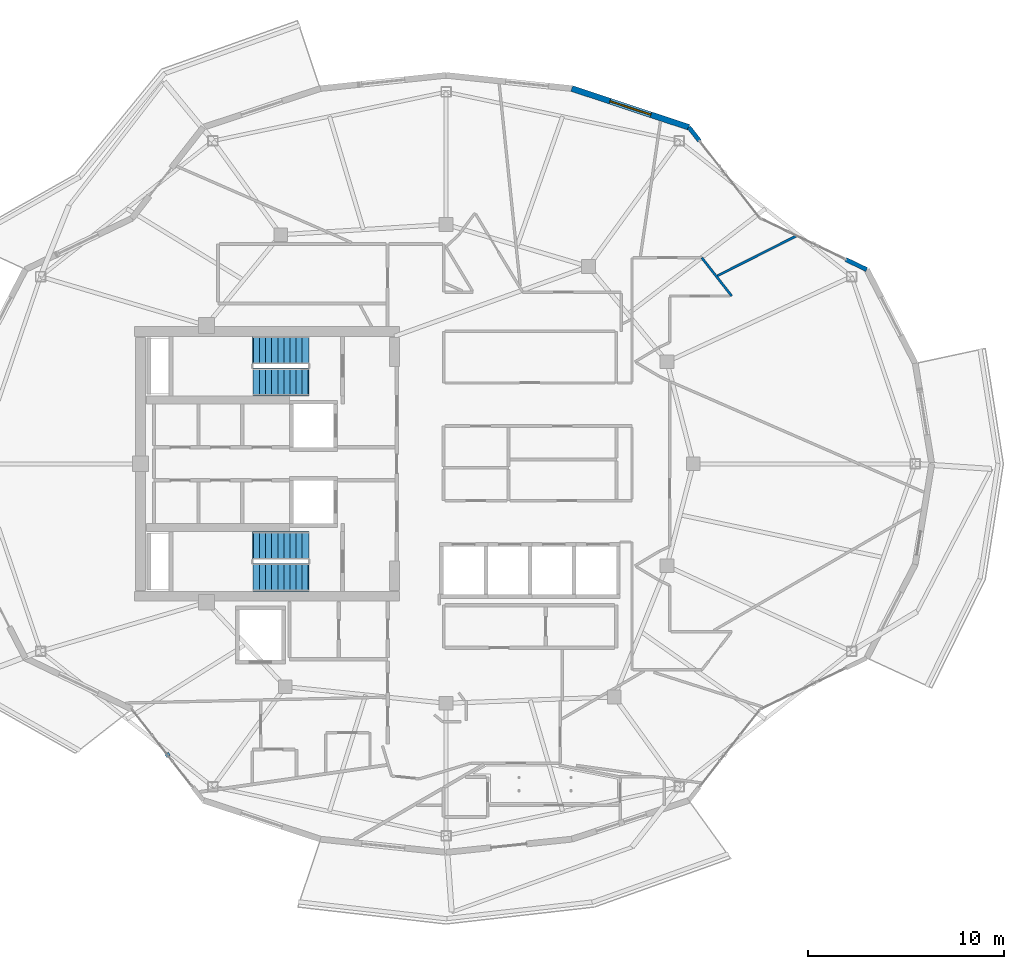
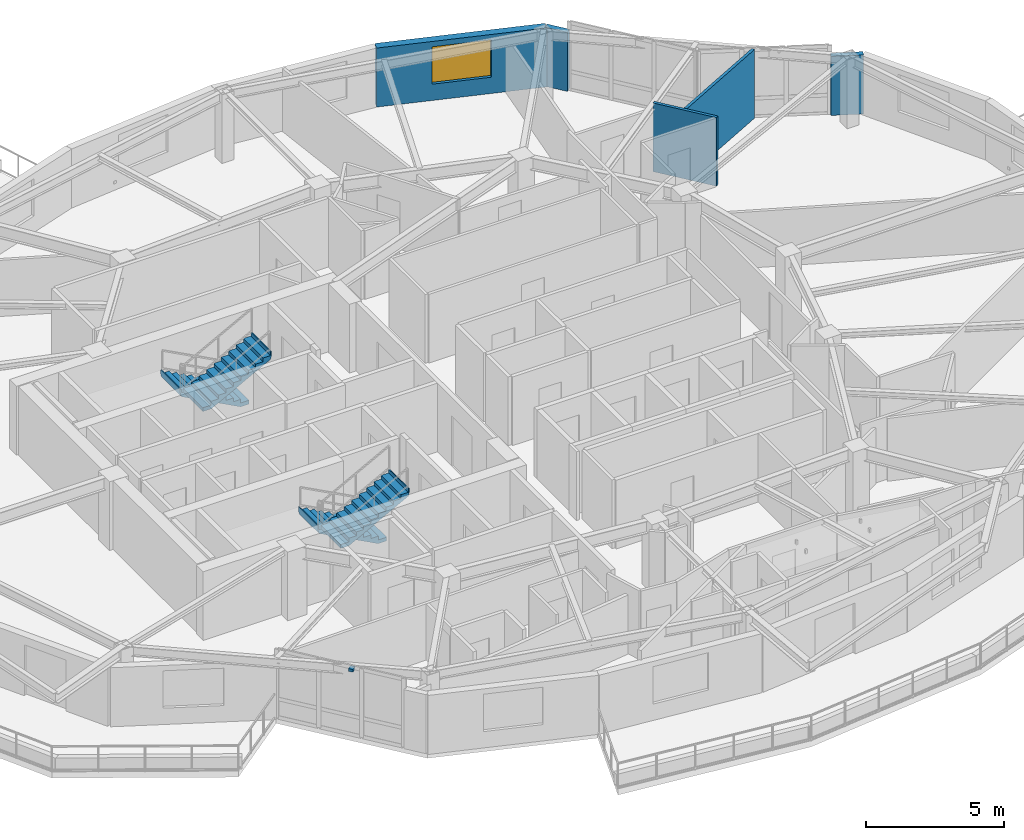
# One storey, part 13 of 21: 5 walls, 4 stair flights, 1 discrete accessory, 1 window, 1 opening, 2 elements without a shape of their own.
"""IFC4 building model written with IfcOpenShell, lengths in metres."""

from ifc_helpers import new_model, si_unit, direction, frame, frame_2d, origin, origin_2d, place, context, subcontext, project, spatial, polyline, rectangle, outline, extrude, material, layer, layer_set, type_object, element, fill, aggregate, save


model = new_model("IFC4")

# Units and contexts
model_context = context("Model", 3, precision=1e-05, world=origin(), true_north=direction((0.0, 1.0)))
body_context = subcontext(model_context, "Body", "Model", "MODEL_VIEW")
ifc_project = project(units=[si_unit("LENGTHUNIT", "METRE"), si_unit("AREAUNIT", "SQUARE_METRE"), si_unit("VOLUMEUNIT", "CUBIC_METRE"), si_unit("PLANEANGLEUNIT", "RADIAN"), si_unit("MASSUNIT", "GRAM", prefix="KILO")], contexts=[model_context])

# Site, building, storey
site_placement = place(None, origin())
site = spatial("IfcSite", under=ifc_project, at=site_placement, CompositionType="ELEMENT")
building_placement = place(site_placement, origin())
building = spatial("IfcBuilding", under=site, at=building_placement, Name="Kolvaren Gate Tower and Convention Centre", CompositionType="ELEMENT")
storey_placement = place(building_placement, frame((0.0, 0.0, 226.10009765625)))
storey = spatial("IfcBuildingStorey", under=building, at=storey_placement, Name="L60", CompositionType="ELEMENT", Elevation=226.10009765625)

# Walls
ifc_material_1 = material(Name="Fire-Rated Acoustic Gypsum Stud Partition", Category="gypsum")
ifc_layer_1 = layer(ifc_material_1, 0.1201171875)
ifc_layer_set_1 = layer_set([ifc_layer_1], Name="Fire-Rated Acoustic Gypsum Stud Partition")
wall_type_1 = type_object("IfcWallType", Name="ARCH-WL-PART-120", PredefinedType="PARTITIONING", material=ifc_layer_set_1)
wall_1_placement = place(storey_placement, frame((43.156982421875, 37.5, 0.0), z_axis=(0.0, 0.0, 1.0), x_axis=(0.616571357052, -0.78729902938, 0.0)))
element("IfcWall", 1, at=wall_1_placement, inside=storey, type_object=wall_type_1, Name="Interior Partition WL-L60-INT-048", PredefinedType="PARTITIONING", context=body_context, shape_type="SweptSolid", body=[
    extrude(rectangle(XDim=2.476806640625, YDim=0.1201171875, at=frame_2d((1.23828125, 0.0))), origin(), (0.0, 0.0, 1.0), 3.02978515625),
])
wall_2_placement = place(storey_placement, frame((43.9541015625, 36.58251953125, 0.0), z_axis=(0.0, 0.0, 1.0), x_axis=(0.892601830049, 0.450845841716, 0.0)))
element("IfcWall", 2, at=wall_2_placement, inside=storey, type_object=wall_type_1, Name="Interior Partition WL-L60-INT-104", PredefinedType="PARTITIONING", context=body_context, shape_type="SweptSolid", body=[
    extrude(rectangle(XDim=4.4853515625, YDim=0.1201171875, at=frame_2d((2.24267578125, 0.0))), origin(), (0.0, 0.0, 1.0), 3.02978515625),
])
ifc_material_2 = material(Name="Bogota Sabana Bush-Hammered Sandstone Cladding", Category="masonry")
ifc_layer_2 = layer(ifc_material_2, 0.219970703125)
ifc_layer_set_2 = layer_set([ifc_layer_2], Name="Bogota Sabana Bush-Hammered Sandstone Cladding")
wall_type_2 = type_object("IfcWallType", Name="ARCH-WL-PIER-220", PredefinedType="SOLIDWALL", material=ifc_layer_set_2)
wall_3_placement = place(storey_placement, frame((50.494140625, 37.41162109375, 0.0), z_axis=(0.0, 0.0, 1.0), x_axis=(0.901342408365, -0.433107218692, 0.0)))
element("IfcWall", 3, at=wall_3_placement, inside=storey, type_object=wall_type_2, Name="Tower L60 Unitised Curtain Wall CW-RES-UNIT Bay 02 Right Column Pier Wrap", PredefinedType="SOLIDWALL", context=body_context, shape_type="SweptSolid", body=[
    extrude(rectangle(XDim=1.181396484375, YDim=0.219970703125, at=frame_2d((0.5908203125, 0.0))), origin(), (0.0, 0.0, 1.0), 2.60498046875),
])
wall_4_placement = place(storey_placement, frame((42.5, 44.147216796875, 0.0), z_axis=(0.0, 0.0, 1.0), x_axis=(0.61650363284, -0.787352062736, 0.0)))
element("IfcWall", 4, at=wall_4_placement, inside=storey, type_object=wall_type_2, Name="Tower L60 Unitised Curtain Wall CW-RES-UNIT Bay 03 Left Column Pier Wrap", PredefinedType="SOLIDWALL", context=body_context, shape_type="SweptSolid", body=[
    extrude(rectangle(XDim=0.8759765625, YDim=0.219970703125, at=frame_2d((0.43798828125, 0.0))), origin(), (0.0, 0.0, 1.0), 2.60498046875),
])

# Wall, opening, window
ifc_material_3 = material(Name="Piedmont Cream Honed Limestone Cladding", Category="masonry")
ifc_layer_3 = layer(ifc_material_3, 0.300048828125)
ifc_layer_set_3 = layer_set([ifc_layer_3], Name="Piedmont Cream Honed Limestone Cladding")
wall_type_3 = type_object("IfcWallType", Name="ARCH-WL-STONE-300", PredefinedType="SOLIDWALL", material=ifc_layer_set_3)
wall_5_placement = place(storey_placement, frame((36.53076171875, 46.125244140625, 0.0), z_axis=(0.0, 0.0, 1.0), x_axis=(0.949240877604, -0.314550085495, 0.0)))
wall_5 = element("IfcWall", 5, at=wall_5_placement, inside=storey, type_object=wall_type_3, Name="Tower L60 Honed Stone Spandrel Wall EW-04", PredefinedType="SOLIDWALL", context=body_context, shape_type="SweptSolid", body=[
    extrude(rectangle(XDim=6.288330078125, YDim=0.300048828125, at=frame_2d((3.14404296875, 0.0))), origin(), (0.0, 0.0, 1.0), 2.60498046875),
])
opening_placement = place(wall_5_placement, frame((2.0439453125, 0.0, 0.719970703125)))
opening = element("IfcOpeningElement", 6, at=opening_placement, cuts=wall_5, Name="Opening W-03", PredefinedType="OPENING", context=body_context, shape_type="SweptSolid", body=[
    extrude(rectangle(XDim=2.199951171875, YDim=1.64990234375, at=frame_2d((1.10009765625, 0.824951171875))), frame((0.0, 0.159912109375, 0.0), z_axis=(0.0, -1.0, 0.0), x_axis=(1.0, 0.0, 0.0)), (0.0, 0.0, 1.0), 0.320068359375),
])
ifc_material_4 = material(Name="Low-E Triple Insulated Glazing Unit 44 mm", Category="glass")
window_type = type_object("IfcWindowType", Name="ARCH-WN-RES-2200", PartitioningType="SINGLE_PANEL", PredefinedType="WINDOW", material=ifc_material_4)
window_placement = place(opening_placement, origin())
window = element("IfcWindow", 7, at=window_placement, inside=storey, type_object=window_type, Name="Tower L60 Punched Stone Facade Window W-04", OverallHeight=1.64990234375, OverallWidth=2.199951171875, PartitioningType="SINGLE_PANEL", PredefinedType="WINDOW", context=body_context, shape_type="SweptSolid", body=[
    extrude(rectangle(XDim=2.199951171875, YDim=1.64990234375, at=frame_2d((1.10009765625, 0.824951171875))), frame((0.0, 0.030029296875, 0.0), z_axis=(0.0, -1.0, 0.0), x_axis=(1.0, 0.0, 0.0)), (0.0, 0.0, 1.0), 0.06005859375),
])
fill(opening, window)

# Stair, stair flights
ifc_material_5 = material(Name="Concrete C50/60", Category="concrete")
stair_type = type_object("IfcStairType", Name="STR-STAIR-CORE", PredefinedType="HALF_TURN_STAIR", material=ifc_material_5)
stair_1_placement = place(storey_placement, origin())
stair_1 = element("IfcStair", 8, at=stair_1_placement, inside=storey, type_object=stair_type, Name="L60 Tower North Exit Stair ST-T1", PredefinedType="HALF_TURN_STAIR")
stair_flight_type = type_object("IfcStairFlightType", Name="STR-SFL-1420", PredefinedType="STRAIGHT", material=ifc_material_5)
stair_flight_1_placement = place(storey_placement, frame((23.10009765625, 32.7900390625, 0.0), z_axis=(0.0, 0.0, 1.0), x_axis=(-1.0, 0.0, 0.0)))
stair_flight_1 = element("IfcStairFlight", 9, at=stair_flight_1_placement, type_object=stair_flight_type, Name="ST-T1 flight 1", NumberOfRisers=10, NumberOfTreads=9, PredefinedType="STRAIGHT", RiserHeight=0.165, TreadLength=0.31, context=body_context, shape_type="SweptSolid", body=[
    extrude(outline(polyline([(-0.034912109375, 0.0), (-0.034912109375, 0.1650390625), (0.31005859375, 0.1650390625), (0.31005859375, 0.330078125), (0.6201171875, 0.330078125), (0.6201171875, 0.4951171875), (0.929931640625, 0.4951171875), (0.929931640625, 0.659912109375), (1.239990234375, 0.659912109375), (1.239990234375, 0.824951171875), (1.550048828125, 0.824951171875), (1.550048828125, 0.989990234375), (1.860107421875, 0.989990234375), (1.860107421875, 1.155029296875), (2.169921875, 1.155029296875), (2.169921875, 1.320068359375), (2.47998046875, 1.320068359375), (2.47998046875, 1.485107421875), (2.7900390625, 1.485107421875), (2.7900390625, 1.64990234375), (2.8349609375, 1.64990234375), (2.8349609375, 1.489990234375), (2.7900390625, 1.315185546875), (0.319091796875, 0.0), (-0.034912109375, 0.0)])), frame((0.0, 0.7099609375, 0.0), z_axis=(0.0, -1.0, 0.0), x_axis=(1.0, 0.0, 0.0)), (0.0, 0.0, 1.0), 1.419921875),
])
stair_flight_2_placement = place(storey_placement, frame((20.31005859375, 31.169921875, 1.64990234375), z_axis=(0.0, 0.0, 1.0), x_axis=(1.0, 0.0, 0.0)))
stair_flight_2 = element("IfcStairFlight", 10, at=stair_flight_2_placement, type_object=stair_flight_type, Name="ST-T1 flight 2", NumberOfRisers=10, NumberOfTreads=9, PredefinedType="STRAIGHT", RiserHeight=0.165, TreadLength=0.31, context=body_context, shape_type="SweptSolid", body=[
    extrude(outline(polyline([(-0.034912109375, 0.0), (-0.034912109375, 0.1650390625), (0.31005859375, 0.1650390625), (0.31005859375, 0.330078125), (0.6201171875, 0.330078125), (0.6201171875, 0.4951171875), (0.929931640625, 0.4951171875), (0.929931640625, 0.659912109375), (1.239990234375, 0.659912109375), (1.239990234375, 0.824951171875), (1.550048828125, 0.824951171875), (1.550048828125, 0.989990234375), (1.860107421875, 0.989990234375), (1.860107421875, 1.155029296875), (2.169921875, 1.155029296875), (2.169921875, 1.320068359375), (2.47998046875, 1.320068359375), (2.47998046875, 1.485107421875), (2.7900390625, 1.485107421875), (2.7900390625, 1.64990234375), (2.8349609375, 1.64990234375), (2.8349609375, 1.489990234375), (2.7900390625, 1.315185546875), (0.319091796875, 0.0), (-0.034912109375, 0.0)])), frame((0.0, 0.7099609375, 0.0), z_axis=(0.0, -1.0, 0.0), x_axis=(1.0, 0.0, 0.0)), (0.0, 0.0, 1.0), 1.419921875),
])
aggregate(stair_1, [stair_flight_1, stair_flight_2])

stair_2_placement = place(storey_placement, origin())
stair_2 = element("IfcStair", 11, at=stair_2_placement, inside=storey, type_object=stair_type, Name="L60 Tower South Exit Stair ST-T2", PredefinedType="HALF_TURN_STAIR")
stair_flight_3_placement = place(storey_placement, frame((23.10009765625, 22.830078125, 0.0), z_axis=(0.0, 0.0, 1.0), x_axis=(-1.0, 0.0, 0.0)))
stair_flight_3 = element("IfcStairFlight", 12, at=stair_flight_3_placement, type_object=stair_flight_type, Name="ST-T2 flight 1", NumberOfRisers=10, NumberOfTreads=9, PredefinedType="STRAIGHT", RiserHeight=0.165, TreadLength=0.31, context=body_context, shape_type="SweptSolid", body=[
    extrude(outline(polyline([(-0.034912109375, 0.0), (-0.034912109375, 0.1650390625), (0.31005859375, 0.1650390625), (0.31005859375, 0.330078125), (0.6201171875, 0.330078125), (0.6201171875, 0.4951171875), (0.929931640625, 0.4951171875), (0.929931640625, 0.659912109375), (1.239990234375, 0.659912109375), (1.239990234375, 0.824951171875), (1.550048828125, 0.824951171875), (1.550048828125, 0.989990234375), (1.860107421875, 0.989990234375), (1.860107421875, 1.155029296875), (2.169921875, 1.155029296875), (2.169921875, 1.320068359375), (2.47998046875, 1.320068359375), (2.47998046875, 1.485107421875), (2.7900390625, 1.485107421875), (2.7900390625, 1.64990234375), (2.8349609375, 1.64990234375), (2.8349609375, 1.489990234375), (2.7900390625, 1.315185546875), (0.319091796875, 0.0), (-0.034912109375, 0.0)])), frame((0.0, 0.7099609375, 0.0), z_axis=(0.0, -1.0, 0.0), x_axis=(1.0, 0.0, 0.0)), (0.0, 0.0, 1.0), 1.419921875),
])
stair_flight_4_placement = place(storey_placement, frame((20.31005859375, 21.2099609375, 1.64990234375), z_axis=(0.0, 0.0, 1.0), x_axis=(1.0, 0.0, 0.0)))
stair_flight_4 = element("IfcStairFlight", 13, at=stair_flight_4_placement, type_object=stair_flight_type, Name="ST-T2 flight 2", NumberOfRisers=10, NumberOfTreads=9, PredefinedType="STRAIGHT", RiserHeight=0.165, TreadLength=0.31, context=body_context, shape_type="SweptSolid", body=[
    extrude(outline(polyline([(-0.034912109375, 0.0), (-0.034912109375, 0.1650390625), (0.31005859375, 0.1650390625), (0.31005859375, 0.330078125), (0.6201171875, 0.330078125), (0.6201171875, 0.4951171875), (0.929931640625, 0.4951171875), (0.929931640625, 0.659912109375), (1.239990234375, 0.659912109375), (1.239990234375, 0.824951171875), (1.550048828125, 0.824951171875), (1.550048828125, 0.989990234375), (1.860107421875, 0.989990234375), (1.860107421875, 1.155029296875), (2.169921875, 1.155029296875), (2.169921875, 1.320068359375), (2.47998046875, 1.320068359375), (2.47998046875, 1.485107421875), (2.7900390625, 1.485107421875), (2.7900390625, 1.64990234375), (2.8349609375, 1.64990234375), (2.8349609375, 1.489990234375), (2.7900390625, 1.315185546875), (0.319091796875, 0.0), (-0.034912109375, 0.0)])), frame((0.0, 0.7099609375, 0.0), z_axis=(0.0, -1.0, 0.0), x_axis=(1.0, 0.0, 0.0)), (0.0, 0.0, 1.0), 1.419921875),
])
aggregate(stair_2, [stair_flight_3, stair_flight_4])

# Discrete accessory
ifc_material_6 = material(Name="Anodized Architectural Aluminium Alloy 6063-T6", Category="aluminium")
discrete_accessory_type = type_object("IfcDiscreteAccessoryType", Name="ARCH-ACC-BRACKET-120", PredefinedType="BRACKET", material=ifc_material_6)
discrete_accessory_placement = place(storey_placement, frame((15.93359375, 12.172607421875, 2.849853515625), z_axis=(0.0, 0.0, 1.0), x_axis=(0.616434119112, -0.787406487651, 0.0)))
element("IfcDiscreteAccessory", 14, at=discrete_accessory_placement, inside=storey, type_object=discrete_accessory_type, Name="Solar Screen Spandrel Anchor Bracket BK-L60-15", PredefinedType="BRACKET", context=body_context, shape_type="SweptSolid", body=[
    extrude(rectangle(XDim=0.179931640625, YDim=0.219970703125, at=origin_2d()), origin(), (0.0, 0.0, 1.0), 0.1201171875),
])

save(model, "model.ifc")
